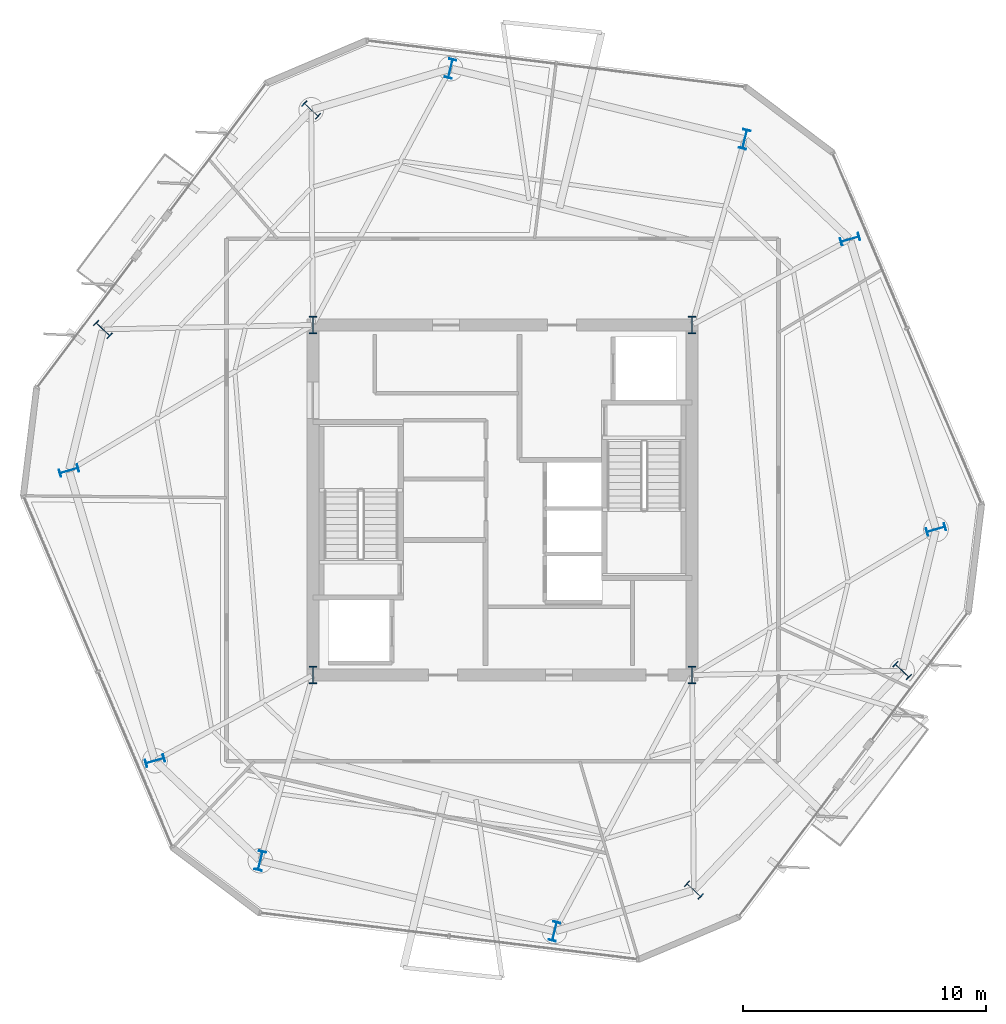
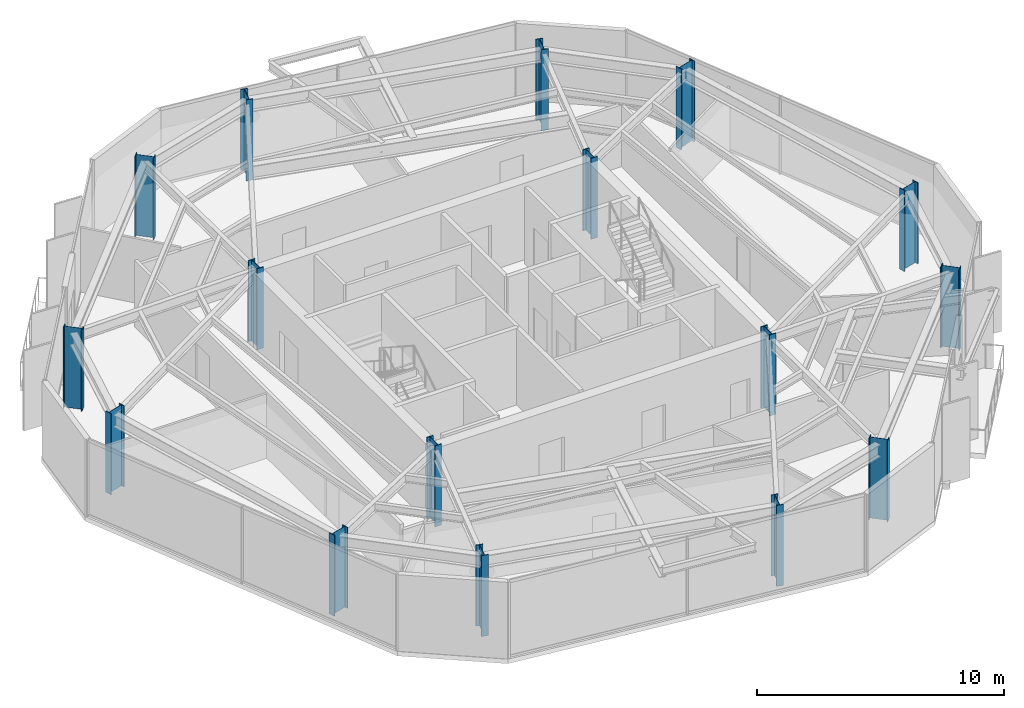
# One storey, part 1 of 12: 16 columns.
"""IFC4 building model written with IfcOpenShell, lengths in metres."""

from ifc_helpers import new_model, si_unit, direction, frame, origin, origin_2d, place, context, subcontext, project, spatial, i_section, extrude, material, material_profile, profile_set, type_object, element, save


model = new_model("IFC4")

# Units and contexts
model_context = context("Model", 3, precision=1e-05, world=origin(), true_north=direction((0.0, 1.0)))
body_context = subcontext(model_context, "Body", "Model", "MODEL_VIEW")
ifc_project = project(units=[si_unit("LENGTHUNIT", "METRE"), si_unit("AREAUNIT", "SQUARE_METRE"), si_unit("VOLUMEUNIT", "CUBIC_METRE"), si_unit("PLANEANGLEUNIT", "RADIAN"), si_unit("MASSUNIT", "GRAM", prefix="KILO")], contexts=[model_context])

# Site, building, storey
site_placement = place(None, origin())
site = spatial("IfcSite", under=ifc_project, at=site_placement, CompositionType="ELEMENT")
building_placement = place(site_placement, origin())
building = spatial("IfcBuilding", under=site, at=building_placement, Name="Kranzbogen Civic Tower", CompositionType="ELEMENT")
storey_placement = place(building_placement, frame((0.0, 0.0, 236.800048828125)))
storey = spatial("IfcBuildingStorey", under=building, at=storey_placement, Name="L57", CompositionType="ELEMENT", Elevation=236.800048828125)

# Columns
ifc_material_1 = material(Name="Steel S355", Category="steel")
ifc_material_profile_1 = material_profile(ifc_material_1, i_section(OverallWidth=0.300048828125, OverallDepth=0.800048828125, WebThickness=0.017578125, FlangeThickness=0.032958984375, at=origin_2d()), Name="HEB 800")
ifc_profile_set_1 = profile_set([ifc_material_profile_1], Name="Steel S355")
column_type_1 = type_object("IfcColumnType", Name="Structural Column HEB 800", PredefinedType="COLUMN", material=ifc_profile_set_1)
for number, where, z_axis, x_axis, name in (
    (1, (34.9609375, 39.8349609375, 0.0), (0.0, 0.0, 1.0), (-0.972369920398, 0.233445363856, 0.0), "L57 tower perimeter tube column 01"),
    (2, (22.860107421875, 42.739990234375, 0.0), (0.0, 0.0, 1.0), (-0.972369920398, 0.233445363856, 0.0), "L57 tower perimeter tube column 02"),
    (3, (17.133056640625, 41.0439453125, 0.0), (0.0, 0.0, 1.0), (0.688354575694, 0.725374371012, 0.0), "L57 tower perimeter tube column 03"),
    (4, (8.56689453125, 32.01611328125, 0.0), (0.0, 0.0, 1.0), (0.688354575694, 0.725374371012, 0.0), "L57 tower perimeter tube column 04"),
    (5, (7.172119140625, 26.208984375, 0.0), (0.0, 0.0, 1.0), (-0.284015344704, 0.958819734868, 0.0), "L57 tower perimeter tube column 05"),
    (6, (10.70703125, 14.27587890625, 0.0), (0.0, 0.0, 1.0), (-0.284015344704, 0.958819734868, 0.0), "L57 tower perimeter tube column 06"),
    (7, (15.0390625, 10.1650390625, 0.0), (0.0, 0.0, 1.0), (-0.972369920398, 0.233445363856, 0.0), "L57 tower perimeter tube column 07"),
    (8, (27.139892578125, 7.260009765625, 0.0), (0.0, 0.0, 1.0), (-0.972369920398, 0.233445363856, 0.0), "L57 tower perimeter tube column 08"),
    (9, (32.866943359375, 8.9560546875, 0.0), (0.0, 0.0, 1.0), (0.688354575694, 0.725374371012, 0.0), "L57 tower perimeter tube column 09"),
    (10, (41.43310546875, 17.98388671875, 0.0), (0.0, 0.0, 1.0), (0.688354575694, 0.725374371012, 0.0), "L57 tower perimeter tube column 10"),
    (11, (42.827880859375, 23.791015625, 0.0), (0.0, 0.0, 1.0), (-0.284015344704, 0.958819734868, 0.0), "L57 tower perimeter tube column 11"),
    (12, (39.29296875, 35.72412109375, 0.0), (0.0, 0.0, 1.0), (-0.284015344704, 0.958819734868, 0.0), "L57 tower perimeter tube column 12"),
):
    element("IfcColumn", number, at=place(storey_placement, frame(where, z_axis=z_axis, x_axis=x_axis)), inside=storey, type_object=column_type_1, Name=name, PredefinedType="COLUMN", context=body_context, shape_type="SweptSolid", body=[
        extrude(i_section(OverallWidth=0.300048828125, OverallDepth=0.800048828125, WebThickness=0.017578125, FlangeThickness=0.032958984375, at=origin_2d()), origin(), (0.0, 0.0, 1.0), 4.0),
    ])
ifc_material_2 = material(Name="Steel S460", Category="steel")
ifc_material_profile_2 = material_profile(ifc_material_2, i_section(OverallWidth=0.303955078125, OverallDepth=0.716064453125, WebThickness=0.02099609375, FlangeThickness=0.0400390625, at=origin_2d()), Name="HEM 700")
ifc_profile_set_2 = profile_set([ifc_material_profile_2], Name="Steel S460")
column_type_2 = type_object("IfcColumnType", Name="Structural Column HEM 700", PredefinedType="COLUMN", material=ifc_profile_set_2)
for number, where, z_axis, x_axis, name in (
    (13, (17.199951171875, 17.800048828125, 0.0), (0.0, 0.0, 1.0), (1.0, 0.0, 0.0), "L57 composite core corner column 1"),
    (14, (32.800048828125, 17.800048828125, 0.0), (0.0, 0.0, 1.0), (1.0, 0.0, 0.0), "L57 composite core corner column 2"),
    (15, (32.800048828125, 32.199951171875, 0.0), (0.0, 0.0, 1.0), (1.0, 0.0, 0.0), "L57 composite core corner column 3"),
    (16, (17.199951171875, 32.199951171875, 0.0), (0.0, 0.0, 1.0), (1.0, 0.0, 0.0), "L57 composite core corner column 4"),
):
    element("IfcColumn", number, at=place(storey_placement, frame(where, z_axis=z_axis, x_axis=x_axis)), inside=storey, type_object=column_type_2, Name=name, PredefinedType="COLUMN", context=body_context, shape_type="SweptSolid", body=[
        extrude(i_section(OverallWidth=0.303955078125, OverallDepth=0.716064453125, WebThickness=0.02099609375, FlangeThickness=0.0400390625, at=origin_2d()), origin(), (0.0, 0.0, 1.0), 4.0),
    ])

save(model, "model.ifc")
